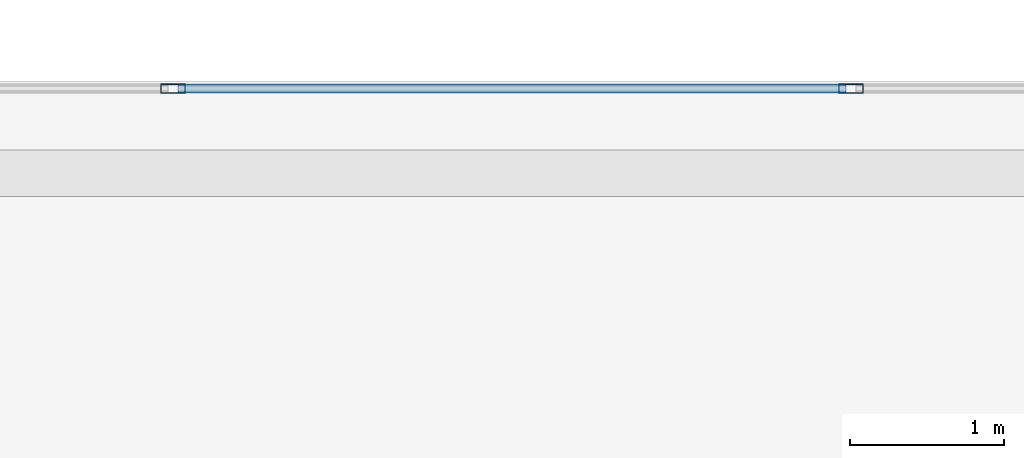
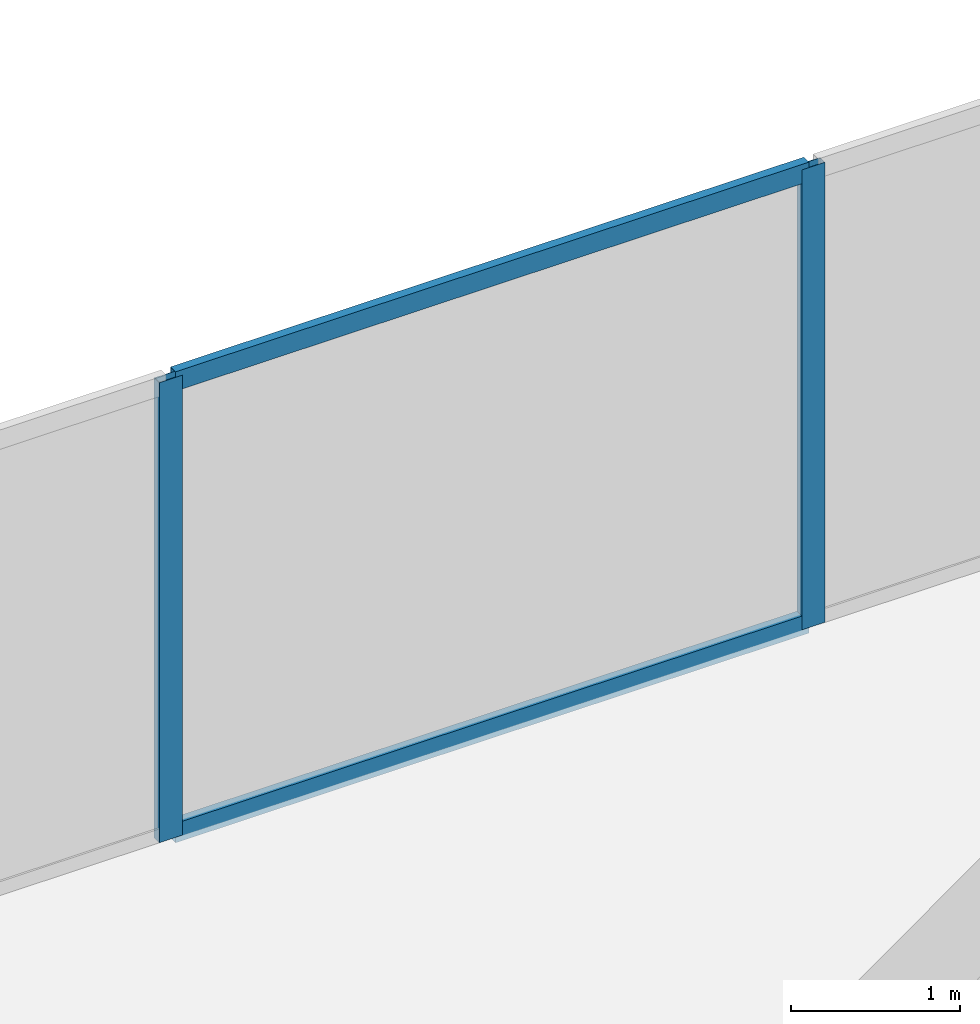
# One storey, part 22 of 34: 4 members, 1 element without a shape of its own.
"""IFC4 building model written with IfcOpenShell, lengths in metres."""

import ifcopenshell
import ifcopenshell.guid

model = None  # the IFC model being written
_history = None  # IfcOwnerHistory: only IFC2X3 demands one
_inside = {}  # id of a spatial element -> (the spatial element, [elements in it])
_under = {}  # id of a project, library or spatial element -> (it, [spatial elements below it])
_declared = {}  # id of a project -> (the project, [libraries it declares])
_typed = {}  # id of a type object -> (the type object, [elements of that type])
_made_of = {}  # id of a material, layer set ... -> (it, [elements and type objects made of it])


def new_model(schema):
    """Start an empty IFC model of exactly this schema.

    Asked for "IFC4X3", IfcOpenShell would pick the latest addendum, in which some entities
    have other attributes; the version numbers below select the first issue.
    IFC2X3 requires an IfcOwnerHistory on every rooted entity: one is made here for all.
    """
    global model, _history
    if schema == "IFC4X3":
        model = ifcopenshell.file(schema_version=(4, 3, 0, 0))
    else:
        model = ifcopenshell.file(schema=schema)
    _inside.clear()
    _under.clear()
    _declared.clear()
    _typed.clear()
    _made_of.clear()
    _history = None
    if model.schema == "IFC2X3":
        org = make("IfcOrganization", Name="unknown")
        user = make(
            "IfcPersonAndOrganization",
            ThePerson=make("IfcPerson", FamilyName="unknown"),
            TheOrganization=org,
        )
        app = make(
            "IfcApplication",
            ApplicationDeveloper=org,
            Version="unknown",
            ApplicationFullName="unknown",
            ApplicationIdentifier="unknown",
        )
        _history = make(
            "IfcOwnerHistory",
            OwningUser=user,
            OwningApplication=app,
            ChangeAction="ADDED",
            CreationDate=0,
        )
    return model


def make(cls, **values):
    """One entity of the class cls with the attributes given. An attribute that is None is left unset."""
    return model.create_entity(
        cls, **{name: value for name, value in values.items() if value is not None}
    )


def rooted(cls, **values):
    """An entity with a GlobalId (a new one), such as an element, a storey or a relation."""
    return make(cls, GlobalId=ifcopenshell.guid.new(), OwnerHistory=_history, **values)


def si_unit(unit_type, name, prefix=None):
    """IfcSIUnit, for example si_unit("LENGTHUNIT", "METRE", prefix="MILLI")."""
    return make("IfcSIUnit", UnitType=unit_type, Prefix=prefix, Name=name)


def assignment(units):
    """IfcUnitAssignment: the units of a project."""
    return None if units is None else make("IfcUnitAssignment", Units=units)


def point(xyz):
    """IfcCartesianPoint."""
    return None if xyz is None else make("IfcCartesianPoint", Coordinates=xyz)


def direction(xyz):
    """IfcDirection."""
    return None if xyz is None else make("IfcDirection", DirectionRatios=xyz)


def frame(location, z_axis=None, x_axis=None):
    """IfcAxis2Placement3D, a coordinate frame: its origin and axes. An axis left out is left unset."""
    return make(
        "IfcAxis2Placement3D",
        Location=point(location),
        Axis=direction(z_axis),
        RefDirection=direction(x_axis),
    )


def frame_2d(location, x_axis=None):
    """IfcAxis2Placement2D, a coordinate frame in the plane: its origin and x axis."""
    return make(
        "IfcAxis2Placement2D", Location=point(location), RefDirection=direction(x_axis)
    )


def origin():
    """The frame at (0, 0, 0) with its axes left unset."""
    return frame((0.0, 0.0, 0.0))


def origin_2d():
    """The frame at (0, 0) in the plane with its x axis left unset."""
    return frame_2d((0.0, 0.0))


def place(relative_to, where):
    """IfcLocalPlacement: puts the frame where relative to a parent placement (None: the world)."""
    return make(
        "IfcLocalPlacement", PlacementRelTo=relative_to, RelativePlacement=where
    )


def context(
    kind, dimensions, precision=None, world=None, true_north=None, identifier=None
):
    """IfcGeometricRepresentationContext, for example the 3D "Model" context."""
    return make(
        "IfcGeometricRepresentationContext",
        ContextIdentifier=identifier,
        ContextType=kind,
        CoordinateSpaceDimension=dimensions,
        Precision=precision,
        WorldCoordinateSystem=world,
        TrueNorth=true_north,
    )


def subcontext(parent, identifier, kind, view, scale=None):
    """IfcGeometricRepresentationSubContext, for example "Body" below "Model"."""
    return make(
        "IfcGeometricRepresentationSubContext",
        ContextIdentifier=identifier,
        ContextType=kind,
        ParentContext=parent,
        TargetScale=scale,
        TargetView=view,
    )


def project(units=None, contexts=None):
    """IfcProject with its units and contexts."""
    return rooted(
        "IfcProject",
        Name="project",
        RepresentationContexts=contexts,
        UnitsInContext=assignment(units),
    )


def spatial(cls, under=None, at=None, **own):
    """A site, building, storey or space (cls), placed at a placement, below another one or the project."""
    s = rooted(cls, ObjectPlacement=at, **own)
    if under is not None:
        _under.setdefault(under.id(), (under, []))[1].append(s)
    return s


def profile(cls, at=None, kind="AREA", **sizes):
    """A parametric profile (cls). Its sizes go by their IFC names, for example OverallWidth=200.0."""
    return make(cls, ProfileType=kind, Position=at, **sizes)


def hollow_rectangle(**sizes):
    """IfcRectangleHollowProfileDef."""
    return profile("IfcRectangleHollowProfileDef", **sizes)


def extrude(swept, where, along, depth):
    """IfcExtrudedAreaSolid: the profile swept, set in the frame where, extruded along a direction by depth."""
    return make(
        "IfcExtrudedAreaSolid",
        SweptArea=swept,
        Position=where,
        ExtrudedDirection=direction(along),
        Depth=depth,
    )


def shape(context_of_items, identifier, shape_type, items):
    """IfcShapeRepresentation: the items that make up one representation, for example the "Body"."""
    return make(
        "IfcShapeRepresentation",
        ContextOfItems=context_of_items,
        RepresentationIdentifier=identifier,
        RepresentationType=shape_type,
        Items=items,
    )


def material(Name=None, Category=None):
    """IfcMaterial."""
    return make("IfcMaterial", Name=Name, Category=Category)


def layer(
    of_material, thickness, ventilated=None, Name=None, Category=None, Priority=None
):
    """IfcMaterialLayer: one layer of a wall or slab, of a material (None: an air gap)."""
    return make(
        "IfcMaterialLayer",
        Material=of_material,
        LayerThickness=thickness,
        IsVentilated=ventilated,
        Name=Name,
        Category=Category,
        Priority=Priority,
    )


def layer_set(layers, Name=None):
    """IfcMaterialLayerSet."""
    return make("IfcMaterialLayerSet", MaterialLayers=layers, LayerSetName=Name)


def material_profile(
    of_material, cross_section, Name=None, Category=None, Priority=None
):
    """IfcMaterialProfile: a cross section and its material."""
    return make(
        "IfcMaterialProfile",
        Name=Name,
        Material=of_material,
        Profile=cross_section,
        Priority=Priority,
        Category=Category,
    )


def profile_set(profiles, Name=None, composite=None):
    """IfcMaterialProfileSet."""
    return make(
        "IfcMaterialProfileSet",
        Name=Name,
        MaterialProfiles=profiles,
        CompositeProfile=composite,
    )


def made_of(thing, what):
    """Note that an element or type object is made of a material, layer set ...; save() writes the relation."""
    if what is not None:
        _made_of.setdefault(what.id(), (what, []))[1].append(thing)
    return thing


def type_object(cls, material=None, **own):
    """A type object (cls), such as IfcWallType, which elements share."""
    return made_of(rooted(cls, **own), material)


def element(
    cls,
    number,
    at=None,
    inside=None,
    cuts=None,
    type_object=None,
    material=None,
    context=None,
    identifier="Body",
    shape_type=None,
    held_by="IfcProductDefinitionShape",
    body=None,
    shapes=None,
    **own,
):
    """One element of the class cls, such as IfcWall. Its Tag is "e" and its number.

    at: its placement. inside: the storey or other place that contains it. cuts: it is an
    opening in that element (IfcRelVoidsElement). A single representation is given by context,
    identifier, shape_type and body (its items); several are given by shapes. held_by: the class
    of the entity that holds the representations. save() writes the other relations.
    """
    e = rooted(cls, Tag="e%d" % number, ObjectPlacement=at, **own)
    if body is not None:
        shapes = [shape(context, identifier, shape_type, body)]
    if shapes is not None:
        e.Representation = make(held_by, Representations=shapes)
    if inside is not None:
        _inside.setdefault(inside.id(), (inside, []))[1].append(e)
    if cuts is not None:
        rooted(
            "IfcRelVoidsElement", RelatingBuildingElement=cuts, RelatedOpeningElement=e
        )
    if type_object is not None:
        _typed.setdefault(type_object.id(), (type_object, []))[1].append(e)
    return made_of(e, material)


def aggregate(whole, parts):
    """IfcRelAggregates: a whole, such as a stair, and the parts it consists of."""
    return rooted("IfcRelAggregates", RelatingObject=whole, RelatedObjects=parts)


def save(model, path):
    """Write the relations noted so far, then the file.

    IfcRelAggregates (storeys below a building ...), IfcRelContainedInSpatialStructure (elements
    in a storey), IfcRelDefinesByType, IfcRelAssociatesMaterial and IfcRelDeclares: one each for
    every whole, place, type object, material and project.
    """
    for whole, parts in _under.values():
        aggregate(whole, parts)
    for where, things in _inside.values():
        rooted(
            "IfcRelContainedInSpatialStructure",
            RelatedElements=things,
            RelatingStructure=where,
        )
    for kind, things in _typed.values():
        rooted("IfcRelDefinesByType", RelatedObjects=things, RelatingType=kind)
    for what, things in _made_of.values():
        rooted("IfcRelAssociatesMaterial", RelatedObjects=things, RelatingMaterial=what)
    for by, libraries in _declared.values():
        rooted("IfcRelDeclares", RelatingContext=by, RelatedDefinitions=libraries)
    model.write(path)


model = new_model("IFC4")

# Units and contexts
model_context = context("Model", 3, precision=1e-05, world=origin(), true_north=direction((0.0, 1.0)))
body_context = subcontext(model_context, "Body", "Model", "MODEL_VIEW")
ifc_project = project(units=[si_unit("LENGTHUNIT", "METRE"), si_unit("AREAUNIT", "SQUARE_METRE"), si_unit("VOLUMEUNIT", "CUBIC_METRE"), si_unit("PLANEANGLEUNIT", "RADIAN"), si_unit("MASSUNIT", "GRAM", prefix="KILO")], contexts=[model_context])

# Site, building, storey
site_placement = place(None, origin())
site = spatial("IfcSite", under=ifc_project, at=site_placement, CompositionType="ELEMENT")
building_placement = place(site_placement, origin())
building = spatial("IfcBuilding", under=site, at=building_placement, Name="Catumbela Crestline Tower", CompositionType="ELEMENT")
storey_placement = place(building_placement, frame((0.0, 0.0, 93.6)))
storey = spatial("IfcBuildingStorey", under=building, at=storey_placement, Name="L23", CompositionType="ELEMENT", Elevation=93.6)

# Curtain wall, members
ifc_material = material(Name="Aluminium alloy AW-6060-T66", Category="aluminium")
ifc_layer = layer(ifc_material, 0.18, Name="Aluminium alloy AW-6060-T66")
ifc_layer_set = layer_set([ifc_layer], Name="Aluminium alloy AW-6060-T66")
curtain_wall_type = type_object("IfcCurtainWallType", Name="CWU-Z2", PredefinedType="USERDEFINED", material=ifc_layer_set)
curtain_wall_placement = place(storey_placement, origin())
curtain_wall = element("IfcCurtainWall", 1, at=curtain_wall_placement, inside=storey, type_object=curtain_wall_type, Name="L23 Unitised Curtain Wall CW-L23-E7S1", ObjectType="UNITISED", PredefinedType="USERDEFINED")
ifc_material_profile_1 = material_profile(ifc_material, hollow_rectangle(XDim=0.06, YDim=0.16, WallThickness=0.004, at=origin_2d()), Name="ALU 160x60x4")
ifc_profile_set_1 = profile_set([ifc_material_profile_1], Name="Aluminium alloy AW-6060-T66")
member_type_1 = type_object("IfcMemberType", Name="MUL-160X60", PredefinedType="MULLION", material=ifc_profile_set_1)
member_1_placement = place(storey_placement, frame((29.9, 47.95, 0.0), z_axis=(0.0, 0.0, 1.0), x_axis=(0.0, -1.0, 0.0)))
member_1 = element("IfcMember", 2, at=member_1_placement, type_object=member_type_1, Name="CWU-Z2 mullion 5", PredefinedType="MULLION", context=body_context, shape_type="SweptSolid", body=[
    extrude(hollow_rectangle(XDim=0.06, YDim=0.16, WallThickness=0.004, at=origin_2d()), origin(), (0.0, 0.0, 1.0), 3.33),
])
member_2_placement = place(storey_placement, frame((25.5, 47.95, 0.0), z_axis=(0.0, 0.0, 1.0), x_axis=(0.0, -1.0, 0.0)))
member_2 = element("IfcMember", 3, at=member_2_placement, type_object=member_type_1, Name="CWU-Z2 mullion 6", PredefinedType="MULLION", context=body_context, shape_type="SweptSolid", body=[
    extrude(hollow_rectangle(XDim=0.06, YDim=0.16, WallThickness=0.004, at=origin_2d()), origin(), (0.0, 0.0, 1.0), 3.33),
])
ifc_material_profile_2 = material_profile(ifc_material, hollow_rectangle(XDim=0.06, YDim=0.14, WallThickness=0.004, at=origin_2d()), Name="ALU 140x60x4")
ifc_profile_set_2 = profile_set([ifc_material_profile_2], Name="Aluminium alloy AW-6060-T66")
member_type_2 = type_object("IfcMemberType", Name="TRN-140X60", PredefinedType="USERDEFINED", material=ifc_profile_set_2)
member_3_placement = place(storey_placement, frame((29.8675, 47.95, 0.03), z_axis=(-1.0, 0.0, 0.0), x_axis=(0.0, -1.0, 0.0)))
member_3 = element("IfcMember", 4, at=member_3_placement, type_object=member_type_2, Name="CWU-Z2 transom 5.1", ObjectType="TRANSOM", PredefinedType="USERDEFINED", context=body_context, shape_type="SweptSolid", body=[
    extrude(hollow_rectangle(XDim=0.06, YDim=0.14, WallThickness=0.004, at=origin_2d()), origin(), (0.0, 0.0, 1.0), 4.335),
])
member_4_placement = place(storey_placement, frame((29.8675, 47.95, 3.3), z_axis=(-1.0, 0.0, 0.0), x_axis=(0.0, -1.0, 0.0)))
member_4 = element("IfcMember", 5, at=member_4_placement, type_object=member_type_2, Name="CWU-Z2 transom 5.2", ObjectType="TRANSOM", PredefinedType="USERDEFINED", context=body_context, shape_type="SweptSolid", body=[
    extrude(hollow_rectangle(XDim=0.06, YDim=0.14, WallThickness=0.004, at=origin_2d()), origin(), (0.0, 0.0, 1.0), 4.335),
])
aggregate(curtain_wall, [member_1, member_2, member_3, member_4])

save(model, "model.ifc")
